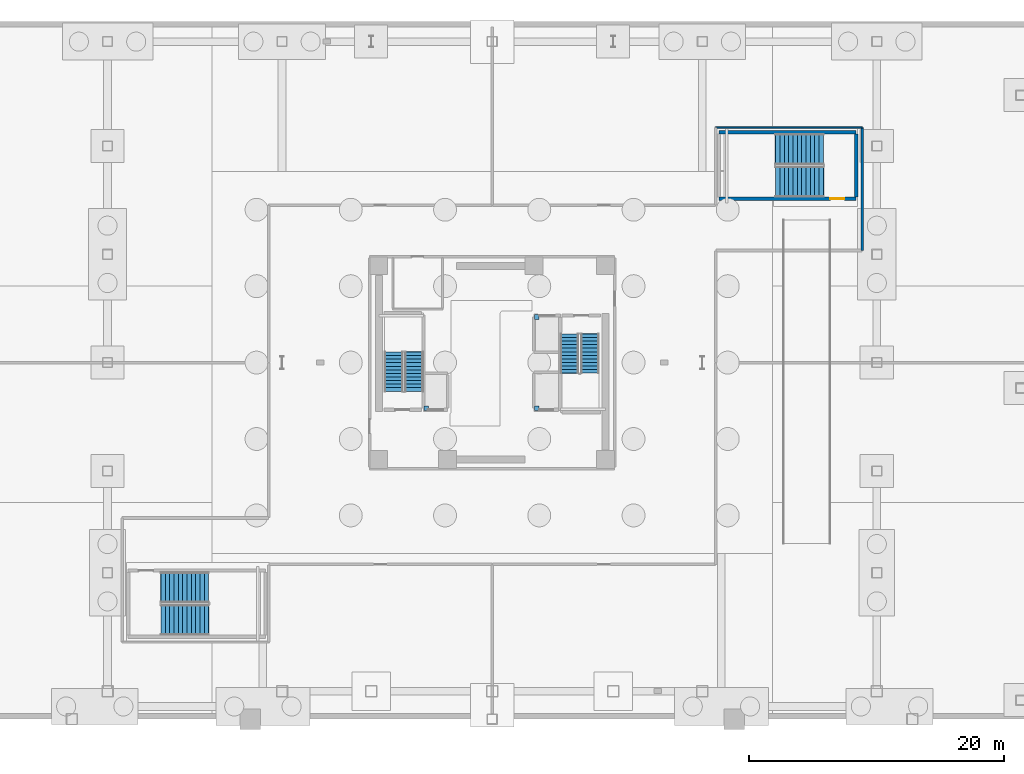
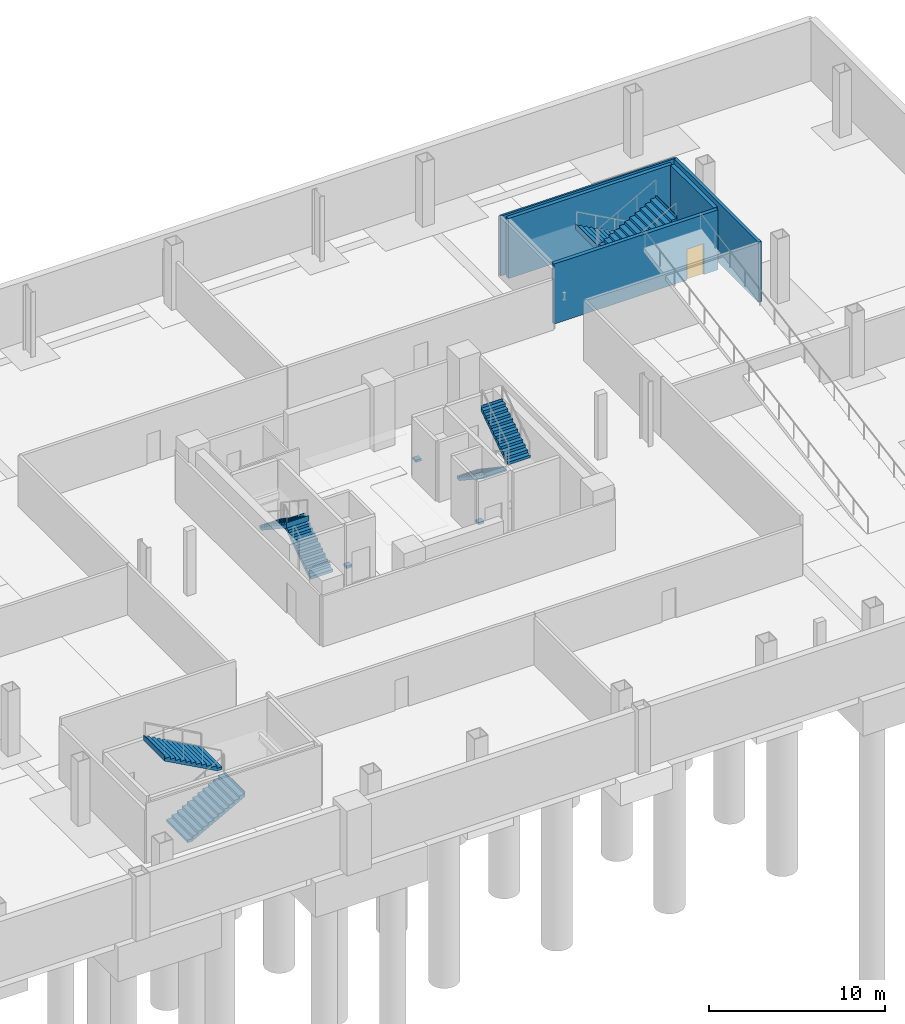
# One storey, part 10 of 15: 8 stair flights, 5 walls, 3 discrete accessories, 1 door, 1 opening, 4 elements without a shape of their own.
"""IFC4 building model written with IfcOpenShell, lengths in metres."""

from ifc_helpers import new_model, si_unit, direction, frame, frame_2d, origin, origin_2d, place, context, subcontext, project, spatial, polyline, rectangle, outline, extrude, material, layer, layer_set, type_object, element, fill, aggregate, save


model = new_model("IFC4")

# Units and contexts
model_context = context("Model", 3, precision=1e-05, world=origin(), true_north=direction((0.0, 1.0)))
body_context = subcontext(model_context, "Body", "Model", "MODEL_VIEW")
ifc_project = project(units=[si_unit("LENGTHUNIT", "METRE"), si_unit("AREAUNIT", "SQUARE_METRE"), si_unit("VOLUMEUNIT", "CUBIC_METRE"), si_unit("PLANEANGLEUNIT", "RADIAN"), si_unit("MASSUNIT", "GRAM", prefix="KILO")], contexts=[model_context])

# Site, building, storey
site_placement = place(None, origin())
site = spatial("IfcSite", under=ifc_project, at=site_placement, CompositionType="ELEMENT")
building_placement = place(site_placement, origin())
building = spatial("IfcBuilding", under=site, at=building_placement, Name="Tharavind Bronze Gate", CompositionType="ELEMENT")
storey_placement = place(building_placement, frame((0.0, 0.0, -9.0)))
storey = spatial("IfcBuildingStorey", under=building, at=storey_placement, Name="B02", CompositionType="ELEMENT", Elevation=-9.0)

# Walls
ifc_material_1 = material(Name="Aerated Concrete Block", Category="concrete")
ifc_layer_1 = layer(ifc_material_1, 0.199951171875)
ifc_layer_set_1 = layer_set([ifc_layer_1], Name="Aerated Concrete Block")
wall_type_1 = type_object("IfcWallType", Name="FIRE RATED PARTITION 200", PredefinedType="PARTITIONING", material=ifc_layer_set_1)
wall_1_placement = place(storey_placement, frame((29.050048828125, 8.800537109375, 0.0), z_axis=(0.0, 0.0, 1.0), x_axis=(0.0, 1.0, 0.0)))
element("IfcWall", 1, at=wall_1_placement, inside=storey, type_object=wall_type_1, Name="B02 Chiller & Heat Rejection Plant Hall partition", PredefinedType="PARTITIONING", context=body_context, shape_type="SweptSolid", body=[
    extrude(rectangle(XDim=9.64892578125, YDim=0.199951171875, at=frame_2d((4.824462890625, 0.0))), origin(), (0.0, 0.0, 1.0), 4.175048828125),
])
ifc_material_2 = material(Name="Metal Stud Gypsum Partition", Category="gypsum")
ifc_layer_2 = layer(ifc_material_2, 0.1201171875)
ifc_layer_set_2 = layer_set([ifc_layer_2], Name="Metal Stud Gypsum Partition")
wall_type_2 = type_object("IfcWallType", Name="INTERIOR PARTITION WALL 120", PredefinedType="PARTITIONING", material=ifc_layer_set_2)
wall_2_placement = place(storey_placement, frame((29.04931640625, 18.449951171875, 0.0), z_axis=(0.0, 0.0, 1.0), x_axis=(-1.0, 0.0, 0.0)))
element("IfcWall", 2, at=wall_2_placement, inside=storey, type_object=wall_type_2, Name="B02 Chiller & Heat Rejection Plant Hall partition", PredefinedType="PARTITIONING", context=body_context, shape_type="SweptSolid", body=[
    extrude(rectangle(XDim=11.498779296875, YDim=0.1201171875, at=frame_2d((5.74951171875, 0.0))), origin(), (0.0, 0.0, 1.0), 4.175048828125),
])

# Wall, opening, door
ifc_material_3 = material(Name="Concrete C50/60", Category="concrete")
ifc_layer_3 = layer(ifc_material_3, 0.25)
ifc_layer_set_3 = layer_set([ifc_layer_3], Name="Concrete C50/60")
wall_type_3 = type_object("IfcWallType", Name="RC CORE SHEAR WALL 250", PredefinedType="SHEAR", material=ifc_layer_set_3)
wall_3_placement = place(storey_placement, frame((17.800048828125, 12.8701171875, 0.0), z_axis=(0.0, 0.0, 1.0), x_axis=(1.0, 0.0, 0.0)))
wall_3 = element("IfcWall", 3, at=wall_3_placement, inside=storey, type_object=wall_type_3, Name="B02 ST4 south wall", PredefinedType="SHEAR", context=body_context, shape_type="SweptSolid", body=[
    extrude(rectangle(XDim=10.780029296875, YDim=0.25, at=frame_2d((5.39013671875, 0.0))), origin(), (0.0, 0.0, 1.0), 4.175048828125),
])
opening_placement = place(wall_3_placement, frame((8.75, 0.0, 0.0)))
opening = element("IfcOpeningElement", 4, at=opening_placement, cuts=wall_3, Name="Opening ID01", PredefinedType="OPENING", context=body_context, shape_type="SweptSolid", body=[
    extrude(rectangle(XDim=1.10009765625, YDim=2.14990234375, at=frame_2d((0.550048828125, 1.074951171875))), frame((0.0, 0.135, 0.0), z_axis=(0.0, -1.0, 0.0), x_axis=(1.0, 0.0, 0.0)), (0.0, 0.0, 1.0), 0.27),
])
ifc_material_4 = material(Name="Fire-Rated Steel", Category="steel")
door_type = type_object("IfcDoorType", Name="STAIR CORE FIRE DOOR 1100X2150", OperationType="SINGLE_SWING_LEFT", PredefinedType="DOOR", material=ifc_material_4)
door_placement = place(opening_placement, origin())
door = element("IfcDoor", 5, at=door_placement, inside=storey, type_object=door_type, Name="B02 podium stair ST4 fire door", OperationType="SINGLE_SWING_LEFT", OverallHeight=2.14990234375, OverallWidth=1.10009765625, PredefinedType="DOOR", context=body_context, shape_type="SweptSolid", body=[
    extrude(rectangle(XDim=1.10009765625, YDim=2.14990234375, at=frame_2d((0.550048828125, 1.074951171875))), frame((0.0, 0.02490234375, 0.0), z_axis=(0.0, -1.0, 0.0), x_axis=(1.0, 0.0, 0.0)), (0.0, 0.0, 1.0), 0.050048828125),
])
fill(opening, door)

# Walls
wall_4_placement = place(storey_placement, frame((17.800048828125, 18.080078125, 0.0), z_axis=(0.0, 0.0, 1.0), x_axis=(1.0, 0.0, 0.0)))
element("IfcWall", 6, at=wall_4_placement, inside=storey, type_object=wall_type_3, Name="B02 ST4 north wall", PredefinedType="SHEAR", context=body_context, shape_type="SweptSolid", body=[
    extrude(rectangle(XDim=10.780029296875, YDim=0.25, at=frame_2d((5.39013671875, 0.0))), origin(), (0.0, 0.0, 1.0), 4.175048828125),
])
wall_5_placement = place(storey_placement, frame((28.580078125, 13.02001953125, 0.0), z_axis=(0.0, 0.0, 1.0), x_axis=(0.0, 1.0, 0.0)))
element("IfcWall", 7, at=wall_5_placement, inside=storey, type_object=wall_type_3, Name="B02 ST4 east wall", PredefinedType="SHEAR", context=body_context, shape_type="SweptSolid", body=[
    extrude(rectangle(XDim=4.909912109375, YDim=0.25, at=frame_2d((2.455078125, 0.0))), origin(), (0.0, 0.0, 1.0), 4.175048828125),
])

# Stair, stair flights
ifc_material_5 = material(Name="Concrete C40/50", Category="concrete")
stair_type_1 = type_object("IfcStairType", Name="CORE HALF TURN STAIR 1450", PredefinedType="HALF_TURN_STAIR", material=ifc_material_5)
stair_1_placement = place(storey_placement, origin())
stair_1 = element("IfcStair", 8, at=stair_1_placement, inside=storey, type_object=stair_type_1, Name="B02 Protected Exit Stair ST1", PredefinedType="HALF_TURN_STAIR")
stair_flight_type_1 = type_object("IfcStairFlightType", Name="CORE STAIR FLIGHT 1450", PredefinedType="STRAIGHT", material=ifc_material_5)
stair_flight_1_placement = place(storey_placement, frame((-6.125, -2.25, 0.0), z_axis=(0.0, 0.0, 1.0), x_axis=(0.0, 1.0, 0.0)))
stair_flight_1 = element("IfcStairFlight", 9, at=stair_flight_1_placement, type_object=stair_flight_type_1, Name="ST1 flight 1", NumberOfRisers=12, NumberOfTreads=11, PredefinedType="STRAIGHT", RiserHeight=0.1875, TreadLength=0.28, context=body_context, shape_type="SweptSolid", body=[
    extrude(outline(polyline([(0.0, 0.0), (0.0, 0.1875), (0.280029296875, 0.1875), (0.280029296875, 0.375), (0.56005859375, 0.375), (0.56005859375, 0.5625), (0.840087890625, 0.5625), (0.840087890625, 0.75), (1.1201171875, 0.75), (1.1201171875, 0.9375), (1.39990234375, 0.9375), (1.39990234375, 1.125), (1.679931640625, 1.125), (1.679931640625, 1.3125), (1.9599609375, 1.3125), (1.9599609375, 1.5), (2.239990234375, 1.5), (2.239990234375, 1.6875), (2.52001953125, 1.6875), (2.52001953125, 1.875), (2.800048828125, 1.875), (2.800048828125, 2.0625), (3.080078125, 2.0625), (3.080078125, 2.25), (3.115966796875, 2.25), (3.115966796875, 1.882080078125), (0.26953125, 0.0), (0.0, 0.0)])), frame((0.0, 0.72509765625, 0.0), z_axis=(0.0, -1.0, 0.0), x_axis=(1.0, 0.0, 0.0)), (0.0, 0.0, 1.0), 1.449951171875),
])
stair_flight_2_placement = place(storey_placement, frame((-7.72509765625, 0.830078125, 2.25), z_axis=(0.0, 0.0, 1.0), x_axis=(0.0, -1.0, 0.0)))
stair_flight_2 = element("IfcStairFlight", 10, at=stair_flight_2_placement, type_object=stair_flight_type_1, Name="ST1 flight 2", NumberOfRisers=12, NumberOfTreads=11, PredefinedType="STRAIGHT", RiserHeight=0.1875, TreadLength=0.28, context=body_context, shape_type="SweptSolid", body=[
    extrude(outline(polyline([(0.0, 0.0), (0.0, 0.1875), (0.280029296875, 0.1875), (0.280029296875, 0.375), (0.56005859375, 0.375), (0.56005859375, 0.5625), (0.840087890625, 0.5625), (0.840087890625, 0.75), (1.1201171875, 0.75), (1.1201171875, 0.9375), (1.39990234375, 0.9375), (1.39990234375, 1.125), (1.679931640625, 1.125), (1.679931640625, 1.3125), (1.9599609375, 1.3125), (1.9599609375, 1.5), (2.239990234375, 1.5), (2.239990234375, 1.6875), (2.52001953125, 1.6875), (2.52001953125, 1.875), (2.800048828125, 1.875), (2.800048828125, 2.0625), (3.080078125, 2.0625), (3.080078125, 2.25), (3.115966796875, 2.25), (3.115966796875, 1.882080078125), (0.26953125, 0.0), (0.0, 0.0)])), frame((0.0, 0.72509765625, 0.0), z_axis=(0.0, -1.0, 0.0), x_axis=(1.0, 0.0, 0.0)), (0.0, 0.0, 1.0), 1.449951171875),
])
aggregate(stair_1, [stair_flight_1, stair_flight_2])

stair_2_placement = place(storey_placement, origin())
stair_2 = element("IfcStair", 11, at=stair_2_placement, inside=storey, type_object=stair_type_1, Name="B02 Protected Exit Stair ST2", PredefinedType="HALF_TURN_STAIR")
stair_flight_3_placement = place(storey_placement, frame((6.074951171875, 2.25, 0.0), z_axis=(0.0, 0.0, 1.0), x_axis=(0.0, -1.0, 0.0)))
stair_flight_3 = element("IfcStairFlight", 12, at=stair_flight_3_placement, type_object=stair_flight_type_1, Name="ST2 flight 1", NumberOfRisers=12, NumberOfTreads=11, PredefinedType="STRAIGHT", RiserHeight=0.1875, TreadLength=0.28, context=body_context, shape_type="SweptSolid", body=[
    extrude(outline(polyline([(0.0, 0.0), (0.0, 0.1875), (0.280029296875, 0.1875), (0.280029296875, 0.375), (0.56005859375, 0.375), (0.56005859375, 0.5625), (0.840087890625, 0.5625), (0.840087890625, 0.75), (1.1201171875, 0.75), (1.1201171875, 0.9375), (1.39990234375, 0.9375), (1.39990234375, 1.125), (1.679931640625, 1.125), (1.679931640625, 1.3125), (1.9599609375, 1.3125), (1.9599609375, 1.5), (2.239990234375, 1.5), (2.239990234375, 1.6875), (2.52001953125, 1.6875), (2.52001953125, 1.875), (2.800048828125, 1.875), (2.800048828125, 2.0625), (3.080078125, 2.0625), (3.080078125, 2.25), (3.115966796875, 2.25), (3.115966796875, 1.882080078125), (0.26953125, 0.0), (0.0, 0.0)])), frame((0.0, 0.72509765625, 0.0), z_axis=(0.0, -1.0, 0.0), x_axis=(1.0, 0.0, 0.0)), (0.0, 0.0, 1.0), 1.449951171875),
])
stair_flight_4_placement = place(storey_placement, frame((7.675048828125, -0.830078125, 2.25), z_axis=(0.0, 0.0, 1.0), x_axis=(0.0, 1.0, 0.0)))
stair_flight_4 = element("IfcStairFlight", 13, at=stair_flight_4_placement, type_object=stair_flight_type_1, Name="ST2 flight 2", NumberOfRisers=12, NumberOfTreads=11, PredefinedType="STRAIGHT", RiserHeight=0.1875, TreadLength=0.28, context=body_context, shape_type="SweptSolid", body=[
    extrude(outline(polyline([(0.0, 0.0), (0.0, 0.1875), (0.280029296875, 0.1875), (0.280029296875, 0.375), (0.56005859375, 0.375), (0.56005859375, 0.5625), (0.840087890625, 0.5625), (0.840087890625, 0.75), (1.1201171875, 0.75), (1.1201171875, 0.9375), (1.39990234375, 0.9375), (1.39990234375, 1.125), (1.679931640625, 1.125), (1.679931640625, 1.3125), (1.9599609375, 1.3125), (1.9599609375, 1.5), (2.239990234375, 1.5), (2.239990234375, 1.6875), (2.52001953125, 1.6875), (2.52001953125, 1.875), (2.800048828125, 1.875), (2.800048828125, 2.0625), (3.080078125, 2.0625), (3.080078125, 2.25), (3.115966796875, 2.25), (3.115966796875, 1.882080078125), (0.26953125, 0.0), (0.0, 0.0)])), frame((0.0, 0.72509765625, 0.0), z_axis=(0.0, -1.0, 0.0), x_axis=(1.0, 0.0, 0.0)), (0.0, 0.0, 1.0), 1.449951171875),
])
aggregate(stair_2, [stair_flight_3, stair_flight_4])

stair_type_2 = type_object("IfcStairType", Name="PODIUM HALF TURN STAIR 2400", PredefinedType="HALF_TURN_STAIR", material=ifc_material_5)
stair_3_placement = place(storey_placement, origin())
stair_3 = element("IfcStair", 14, at=stair_3_placement, inside=storey, type_object=stair_type_2, Name="B02 Protected Exit Stair ST3", PredefinedType="HALF_TURN_STAIR")
stair_flight_type_2 = type_object("IfcStairFlightType", Name="PODIUM STAIR FLIGHT 2400", PredefinedType="STRAIGHT", material=ifc_material_5)
stair_flight_5_placement = place(storey_placement, frame((-26.0, -20.199951171875, 0.0), z_axis=(0.0, 0.0, 1.0), x_axis=(1.0, 0.0, 0.0)))
stair_flight_5 = element("IfcStairFlight", 15, at=stair_flight_5_placement, type_object=stair_flight_type_2, Name="ST3 flight 1", NumberOfRisers=12, NumberOfTreads=11, PredefinedType="STRAIGHT", RiserHeight=0.1875, TreadLength=0.34, context=body_context, shape_type="SweptSolid", body=[
    extrude(outline(polyline([(0.0, 0.0), (0.0, 0.1875), (0.340087890625, 0.1875), (0.340087890625, 0.375), (0.679931640625, 0.375), (0.679931640625, 0.5625), (1.02001953125, 0.5625), (1.02001953125, 0.75), (1.360107421875, 0.75), (1.360107421875, 0.9375), (1.699951171875, 0.9375), (1.699951171875, 1.125), (2.0400390625, 1.125), (2.0400390625, 1.3125), (2.3798828125, 1.3125), (2.3798828125, 1.5), (2.719970703125, 1.5), (2.719970703125, 1.6875), (3.06005859375, 1.6875), (3.06005859375, 1.875), (3.39990234375, 1.875), (3.39990234375, 2.0625), (3.739990234375, 2.0625), (3.739990234375, 2.25), (3.77587890625, 2.25), (3.77587890625, 1.891357421875), (0.310302734375, 0.0), (0.0, 0.0)])), frame((0.0, 1.199951171875, 0.0), z_axis=(0.0, -1.0, 0.0), x_axis=(1.0, 0.0, 0.0)), (0.0, 0.0, 1.0), 2.39990234375),
])
stair_flight_6_placement = place(storey_placement, frame((-22.260009765625, -17.64990234375, 2.25), z_axis=(0.0, 0.0, 1.0), x_axis=(-1.0, 0.0, 0.0)))
stair_flight_6 = element("IfcStairFlight", 16, at=stair_flight_6_placement, type_object=stair_flight_type_2, Name="ST3 flight 2", NumberOfRisers=12, NumberOfTreads=11, PredefinedType="STRAIGHT", RiserHeight=0.1875, TreadLength=0.34, context=body_context, shape_type="SweptSolid", body=[
    extrude(outline(polyline([(0.0, 0.0), (0.0, 0.1875), (0.340087890625, 0.1875), (0.340087890625, 0.375), (0.679931640625, 0.375), (0.679931640625, 0.5625), (1.02001953125, 0.5625), (1.02001953125, 0.75), (1.360107421875, 0.75), (1.360107421875, 0.9375), (1.699951171875, 0.9375), (1.699951171875, 1.125), (2.0400390625, 1.125), (2.0400390625, 1.3125), (2.3798828125, 1.3125), (2.3798828125, 1.5), (2.719970703125, 1.5), (2.719970703125, 1.6875), (3.06005859375, 1.6875), (3.06005859375, 1.875), (3.39990234375, 1.875), (3.39990234375, 2.0625), (3.739990234375, 2.0625), (3.739990234375, 2.25), (3.77587890625, 2.25), (3.77587890625, 1.891357421875), (0.310302734375, 0.0), (0.0, 0.0)])), frame((0.0, 1.199951171875, 0.0), z_axis=(0.0, -1.0, 0.0), x_axis=(1.0, 0.0, 0.0)), (0.0, 0.0, 1.0), 2.39990234375),
])
aggregate(stair_3, [stair_flight_5, stair_flight_6])

stair_4_placement = place(storey_placement, origin())
stair_4 = element("IfcStair", 17, at=stair_4_placement, inside=storey, type_object=stair_type_2, Name="B02 Protected Exit Stair ST4", PredefinedType="HALF_TURN_STAIR")
stair_flight_7_placement = place(storey_placement, frame((26.0, 16.75, 0.0), z_axis=(0.0, 0.0, 1.0), x_axis=(-1.0, 0.0, 0.0)))
stair_flight_7 = element("IfcStairFlight", 18, at=stair_flight_7_placement, type_object=stair_flight_type_2, Name="ST4 flight 1", NumberOfRisers=12, NumberOfTreads=11, PredefinedType="STRAIGHT", RiserHeight=0.1875, TreadLength=0.34, context=body_context, shape_type="SweptSolid", body=[
    extrude(outline(polyline([(0.0, 0.0), (0.0, 0.1875), (0.340087890625, 0.1875), (0.340087890625, 0.375), (0.679931640625, 0.375), (0.679931640625, 0.5625), (1.02001953125, 0.5625), (1.02001953125, 0.75), (1.360107421875, 0.75), (1.360107421875, 0.9375), (1.699951171875, 0.9375), (1.699951171875, 1.125), (2.0400390625, 1.125), (2.0400390625, 1.3125), (2.3798828125, 1.3125), (2.3798828125, 1.5), (2.719970703125, 1.5), (2.719970703125, 1.6875), (3.06005859375, 1.6875), (3.06005859375, 1.875), (3.39990234375, 1.875), (3.39990234375, 2.0625), (3.739990234375, 2.0625), (3.739990234375, 2.25), (3.77587890625, 2.25), (3.77587890625, 1.891357421875), (0.310302734375, 0.0), (0.0, 0.0)])), frame((0.0, 1.199951171875, 0.0), z_axis=(0.0, -1.0, 0.0), x_axis=(1.0, 0.0, 0.0)), (0.0, 0.0, 1.0), 2.39990234375),
])
stair_flight_8_placement = place(storey_placement, frame((22.260009765625, 14.199951171875, 2.25), z_axis=(0.0, 0.0, 1.0), x_axis=(1.0, 0.0, 0.0)))
stair_flight_8 = element("IfcStairFlight", 19, at=stair_flight_8_placement, type_object=stair_flight_type_2, Name="ST4 flight 2", NumberOfRisers=12, NumberOfTreads=11, PredefinedType="STRAIGHT", RiserHeight=0.1875, TreadLength=0.34, context=body_context, shape_type="SweptSolid", body=[
    extrude(outline(polyline([(0.0, 0.0), (0.0, 0.1875), (0.340087890625, 0.1875), (0.340087890625, 0.375), (0.679931640625, 0.375), (0.679931640625, 0.5625), (1.02001953125, 0.5625), (1.02001953125, 0.75), (1.360107421875, 0.75), (1.360107421875, 0.9375), (1.699951171875, 0.9375), (1.699951171875, 1.125), (2.0400390625, 1.125), (2.0400390625, 1.3125), (2.3798828125, 1.3125), (2.3798828125, 1.5), (2.719970703125, 1.5), (2.719970703125, 1.6875), (3.06005859375, 1.6875), (3.06005859375, 1.875), (3.39990234375, 1.875), (3.39990234375, 2.0625), (3.739990234375, 2.0625), (3.739990234375, 2.25), (3.77587890625, 2.25), (3.77587890625, 1.891357421875), (0.310302734375, 0.0), (0.0, 0.0)])), frame((0.0, 1.199951171875, 0.0), z_axis=(0.0, -1.0, 0.0), x_axis=(1.0, 0.0, 0.0)), (0.0, 0.0, 1.0), 2.39990234375),
])
aggregate(stair_4, [stair_flight_7, stair_flight_8])

# Discrete accessories
ifc_material_6 = material(Name="Galvanised Steel S355", Category="steel")
discrete_accessory_type = type_object("IfcDiscreteAccessoryType", Name="LIFT GUIDE RAIL BRACKET", PredefinedType="BRACKET", material=ifc_material_6)
for number, where, z_axis, x_axis, name in (
    (20, (-5.179931640625, -3.580078125, 1.1201171875), (0.0, 0.0, 1.0), (1.0, 0.0, 0.0), "Lift FFL1 guide rail bracket at B02"),
    (21, (3.5, 3.580078125, 1.1201171875), (0.0, 0.0, 1.0), (1.0, 0.0, 0.0), "Lift FFL2 guide rail bracket at B02"),
    (22, (3.5, -3.580078125, 1.1201171875), (0.0, 0.0, 1.0), (1.0, 0.0, 0.0), "Lift SVL1 guide rail bracket at B02"),
):
    element("IfcDiscreteAccessory", number, at=place(storey_placement, frame(where, z_axis=z_axis, x_axis=x_axis)), inside=storey, type_object=discrete_accessory_type, Name=name, PredefinedType="BRACKET", context=body_context, shape_type="SweptSolid", body=[
        extrude(rectangle(XDim=0.360107421875, YDim=0.360107421875, at=origin_2d()), origin(), (0.0, 0.0, 1.0), 0.159912109375),
    ])

save(model, "model.ifc")
